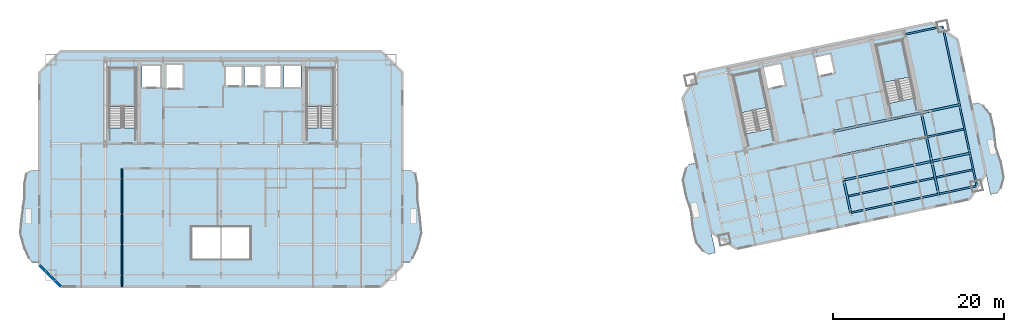
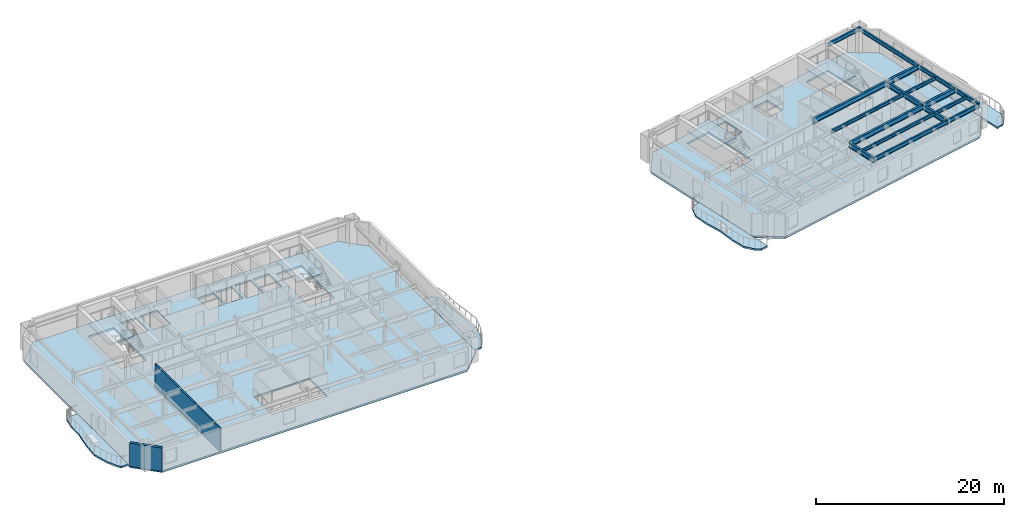
# One storey, part 4 of 13: 17 beams, 10 slabs, 2 walls, 4 elements without a shape of their own.
"""IFC4 building model written with IfcOpenShell, lengths in metres."""

from ifc_helpers import new_model, si_unit, direction, frame, frame_2d, origin, origin_2d, place, context, subcontext, project, spatial, polyline, rectangle, i_section, outline, extrude, material, layer, layer_set, material_profile, profile_set, type_object, element, aggregate, save


model = new_model("IFC4")

# Units and contexts
model_context = context("Model", 3, precision=1e-05, world=origin(), true_north=direction((0.0, 1.0)))
body_context = subcontext(model_context, "Body", "Model", "MODEL_VIEW")
ifc_project = project(units=[si_unit("LENGTHUNIT", "METRE"), si_unit("AREAUNIT", "SQUARE_METRE"), si_unit("VOLUMEUNIT", "CUBIC_METRE"), si_unit("PLANEANGLEUNIT", "RADIAN"), si_unit("MASSUNIT", "GRAM", prefix="KILO")], contexts=[model_context])

# Site, building, storey
site_placement = place(None, origin())
site = spatial("IfcSite", under=ifc_project, at=site_placement, CompositionType="ELEMENT")
building_placement = place(site_placement, origin())
building = spatial("IfcBuilding", under=site, at=building_placement, Name="Haevon Station Towers", CompositionType="ELEMENT")
storey_placement = place(building_placement, frame((0.0, 0.0, 149.39990234375)))
storey = spatial("IfcBuildingStorey", under=building, at=storey_placement, Name="L40", CompositionType="ELEMENT", Elevation=149.39990234375)

# Beams
ifc_material_1 = material(Name="Steel S355", Category="steel")
ifc_material_profile_1 = material_profile(ifc_material_1, i_section(OverallWidth=0.25, OverallDepth=0.64990234375, WebThickness=0.012939453125, FlangeThickness=0.02197265625, at=origin_2d()), Name="H-650x250x13x22")
ifc_profile_set_1 = profile_set([ifc_material_profile_1], Name="Steel S355")
beam_type_1 = type_object("IfcBeamType", Name="BM-G650", PredefinedType="BEAM", material=ifc_profile_set_1)
beam_1_placement = place(storey_placement, frame((110.228759765625, 33.9521484375, 2.72509765625), z_axis=(0.978146794194, 0.207915485254, 0.0), x_axis=(-0.207915485254, 0.978146794194, 0.0)))
element("IfcBeam", 1, at=beam_1_placement, inside=storey, type_object=beam_type_1, Name="BM-T2U-L40-02-03", PredefinedType="BEAM", context=body_context, shape_type="SweptSolid", body=[
    extrude(i_section(OverallWidth=0.25, OverallDepth=0.64990234375, WebThickness=0.012939453125, FlangeThickness=0.02197265625, at=origin_2d()), origin(), (0.0, 0.0, 1.0), 10.5),
])
beam_2_placement = place(storey_placement, frame((120.499267578125, 36.13525390625, 2.72509765625), z_axis=(0.978146576304, 0.207916510322, 0.0), x_axis=(-0.207916510322, 0.978146576304, 0.0)))
element("IfcBeam", 2, at=beam_2_placement, inside=storey, type_object=beam_type_1, Name="BM-T2U-L40-02-04", PredefinedType="BEAM", context=body_context, shape_type="SweptSolid", body=[
    extrude(i_section(OverallWidth=0.25, OverallDepth=0.64990234375, WebThickness=0.012939453125, FlangeThickness=0.02197265625, at=origin_2d()), origin(), (0.0, 0.0, 1.0), 4.550048828125),
])
beam_3_placement = place(storey_placement, frame((109.02294921875, 39.62548828125, 2.72509765625), z_axis=(0.978146794194, 0.207915485254, 0.0), x_axis=(-0.207915485254, 0.978146794194, 0.0)))
element("IfcBeam", 3, at=beam_3_placement, inside=storey, type_object=beam_type_1, Name="BM-T2U-L40-03-03", PredefinedType="BEAM", context=body_context, shape_type="SweptSolid", body=[
    extrude(i_section(OverallWidth=0.25, OverallDepth=0.64990234375, WebThickness=0.012939453125, FlangeThickness=0.02197265625, at=origin_2d()), origin(), (0.0, 0.0, 1.0), 10.5),
])
beam_4_placement = place(storey_placement, frame((119.29345703125, 41.80859375, 2.72509765625), z_axis=(0.978146576304, 0.207916510322, 0.0), x_axis=(-0.207916510322, 0.978146576304, 0.0)))
element("IfcBeam", 4, at=beam_4_placement, inside=storey, type_object=beam_type_1, Name="BM-T2U-L40-03-04", PredefinedType="BEAM", context=body_context, shape_type="SweptSolid", body=[
    extrude(i_section(OverallWidth=0.25, OverallDepth=0.64990234375, WebThickness=0.012939453125, FlangeThickness=0.02197265625, at=origin_2d()), origin(), (0.0, 0.0, 1.0), 4.550048828125),
])
for number, where, z_axis, x_axis, name in (
    (5, (111.03955078125, 30.137451171875, 2.72509765625), (-0.207899934746, 0.97815009949, 0.0), (-0.97815009949, -0.207899934746, 0.0), "BM-T2V-L40-03-01"),
    (6, (121.310302734375, 32.320556640625, 2.72509765625), (-0.207959829392, 0.978137367326, 0.0), (-0.978137367326, -0.207959829392, 0.0), "BM-T2V-L40-04-01"),
):
    element("IfcBeam", number, at=place(storey_placement, frame(where, z_axis=z_axis, x_axis=x_axis)), inside=storey, type_object=beam_type_1, Name=name, PredefinedType="BEAM", context=body_context, shape_type="SweptSolid", body=[
        extrude(i_section(OverallWidth=0.25, OverallDepth=0.64990234375, WebThickness=0.012939453125, FlangeThickness=0.02197265625, at=origin_2d()), origin(), (0.0, 0.0, 1.0), 3.89990234375),
    ])
beam_5_placement = place(storey_placement, frame((120.499267578125, 36.13525390625, 2.72509765625), z_axis=(-0.207896009217, 0.97815093383, 0.0), x_axis=(-0.97815093383, -0.207896009217, 0.0)))
element("IfcBeam", 7, at=beam_5_placement, inside=storey, type_object=beam_type_1, Name="BM-T2V-L40-04-02", PredefinedType="BEAM", context=body_context, shape_type="SweptSolid", body=[
    extrude(i_section(OverallWidth=0.25, OverallDepth=0.64990234375, WebThickness=0.012939453125, FlangeThickness=0.02197265625, at=origin_2d()), origin(), (0.0, 0.0, 1.0), 5.800048828125),
])
ifc_material_profile_2 = material_profile(ifc_material_1, i_section(OverallWidth=0.199951171875, OverallDepth=0.39990234375, WebThickness=0.008056640625, FlangeThickness=0.012939453125, at=origin_2d()), Name="H-400x200x8x13")
ifc_profile_set_2 = profile_set([ifc_material_profile_2], Name="Steel S355")
beam_type_2 = type_object("IfcBeamType", Name="BM-J400", PredefinedType="JOIST", material=ifc_profile_set_2)
beam_6_placement = place(storey_placement, frame((110.74169921875, 32.067626953125, 2.85009765625), z_axis=(0.978145509903, 0.207921527161, 0.0), x_axis=(-0.207921527161, 0.978145509903, 0.0)))
element("IfcBeam", 8, at=beam_6_placement, inside=storey, type_object=beam_type_2, Name="BM-T2J-L40-01-03", PredefinedType="JOIST", context=body_context, shape_type="SweptSolid", body=[
    extrude(i_section(OverallWidth=0.199951171875, OverallDepth=0.39990234375, WebThickness=0.008056640625, FlangeThickness=0.012939453125, at=origin_2d()), origin(), (0.0, 0.0, 1.0), 10.280029296875),
])
beam_7_placement = place(storey_placement, frame((121.012451171875, 34.250732421875, 2.85009765625), z_axis=(0.978141078405, 0.207942373597, 0.0), x_axis=(-0.207942373597, 0.978141078405, 0.0)))
element("IfcBeam", 9, at=beam_7_placement, inside=storey, type_object=beam_type_2, Name="BM-T2J-L40-01-04", PredefinedType="JOIST", context=body_context, shape_type="SweptSolid", body=[
    extrude(i_section(OverallWidth=0.199951171875, OverallDepth=0.39990234375, WebThickness=0.008056640625, FlangeThickness=0.012939453125, at=origin_2d()), origin(), (0.0, 0.0, 1.0), 4.330078125),
])
beam_8_placement = place(storey_placement, frame((109.7333984375, 36.811767578125, 2.85009765625), z_axis=(0.978150339653, 0.207898804801, 0.0), x_axis=(-0.207898804801, 0.978150339653, 0.0)))
element("IfcBeam", 10, at=beam_8_placement, inside=storey, type_object=beam_type_2, Name="BM-T2J-L40-02-03", PredefinedType="JOIST", context=body_context, shape_type="SweptSolid", body=[
    extrude(i_section(OverallWidth=0.199951171875, OverallDepth=0.39990234375, WebThickness=0.008056640625, FlangeThickness=0.012939453125, at=origin_2d()), origin(), (0.0, 0.0, 1.0), 10.280029296875),
])
beam_9_placement = place(storey_placement, frame((120.00390625, 38.994873046875, 2.85009765625), z_axis=(0.978152545287, 0.207888427166, 0.0), x_axis=(-0.207888427166, 0.978152545287, 0.0)))
element("IfcBeam", 11, at=beam_9_placement, inside=storey, type_object=beam_type_2, Name="BM-T2J-L40-02-04", PredefinedType="JOIST", context=body_context, shape_type="SweptSolid", body=[
    extrude(i_section(OverallWidth=0.199951171875, OverallDepth=0.39990234375, WebThickness=0.008056640625, FlangeThickness=0.012939453125, at=origin_2d()), origin(), (0.0, 0.0, 1.0), 4.329833984375),
])
ifc_material_profile_3 = material_profile(ifc_material_1, i_section(OverallWidth=0.199951171875, OverallDepth=0.5, WebThickness=0.010009765625, FlangeThickness=0.01611328125, at=origin_2d()), Name="H-500x200x10x16")
ifc_profile_set_3 = profile_set([ifc_material_profile_3], Name="Steel S355")
beam_type_3 = type_object("IfcBeamType", Name="BM-SP500", PredefinedType="SPANDREL", material=ifc_profile_set_3)
beam_10_placement = place(storey_placement, frame((111.03955078125, 30.137451171875, 2.800048828125), z_axis=(0.978147799298, 0.207910756646, 0.0), x_axis=(-0.207910756646, 0.978147799298, 0.0)))
element("IfcBeam", 12, at=beam_10_placement, inside=storey, type_object=beam_type_3, Name="BM-T2U-L40-01-03", PredefinedType="SPANDREL", context=body_context, shape_type="SweptSolid", body=[
    extrude(i_section(OverallWidth=0.199951171875, OverallDepth=0.5, WebThickness=0.010009765625, FlangeThickness=0.01611328125, at=origin_2d()), origin(), (0.0, 0.0, 1.0), 10.500244140625),
])
beam_11_placement = place(storey_placement, frame((121.310302734375, 32.320556640625, 2.800048828125), z_axis=(0.978144256617, 0.207927423029, 0.0), x_axis=(-0.207927423029, 0.978144256617, 0.0)))
element("IfcBeam", 13, at=beam_11_placement, inside=storey, type_object=beam_type_3, Name="BM-T2U-L40-01-04", PredefinedType="SPANDREL", context=body_context, shape_type="SweptSolid", body=[
    extrude(i_section(OverallWidth=0.199951171875, OverallDepth=0.5, WebThickness=0.010009765625, FlangeThickness=0.01611328125, at=origin_2d()), origin(), (0.0, 0.0, 1.0), 4.5498046875),
])
beam_12_placement = place(storey_placement, frame((117.349365234375, 50.954345703125, 2.800048828125), z_axis=(0.978157487225, 0.207865173094, 0.0), x_axis=(-0.207865173094, 0.978157487225, 0.0)))
element("IfcBeam", 14, at=beam_12_placement, inside=storey, type_object=beam_type_3, Name="BM-T2U-L40-04-04", PredefinedType="SPANDREL", context=body_context, shape_type="SweptSolid", body=[
    extrude(i_section(OverallWidth=0.199951171875, OverallDepth=0.5, WebThickness=0.010009765625, FlangeThickness=0.01611328125, at=origin_2d()), origin(), (0.0, 0.0, 1.0), 4.550048828125),
])
beam_13_placement = place(storey_placement, frame((125.7607421875, 33.2666015625, 2.800048828125), z_axis=(-0.207899934746, 0.97815009949, 0.0), x_axis=(-0.97815009949, -0.207899934746, 0.0)))
element("IfcBeam", 15, at=beam_13_placement, inside=storey, type_object=beam_type_3, Name="BM-T2V-L40-05-01", PredefinedType="SPANDREL", context=body_context, shape_type="SweptSolid", body=[
    extrude(i_section(OverallWidth=0.199951171875, OverallDepth=0.5, WebThickness=0.010009765625, FlangeThickness=0.01611328125, at=origin_2d()), origin(), (0.0, 0.0, 1.0), 3.89990234375),
])
beam_14_placement = place(storey_placement, frame((124.949951171875, 37.081298828125, 2.800048828125), z_axis=(-0.207896009217, 0.97815093383, 0.0), x_axis=(-0.97815093383, -0.207896009217, 0.0)))
element("IfcBeam", 16, at=beam_14_placement, inside=storey, type_object=beam_type_3, Name="BM-T2V-L40-05-02", PredefinedType="SPANDREL", context=body_context, shape_type="SweptSolid", body=[
    extrude(i_section(OverallWidth=0.199951171875, OverallDepth=0.5, WebThickness=0.010009765625, FlangeThickness=0.01611328125, at=origin_2d()), origin(), (0.0, 0.0, 1.0), 5.800048828125),
])
beam_15_placement = place(storey_placement, frame((123.744140625, 42.754638671875, 2.800048828125), z_axis=(-0.207927460032, 0.978144248751, 0.0), x_axis=(-0.978144248751, -0.207927460032, 0.0)))
element("IfcBeam", 17, at=beam_15_placement, inside=storey, type_object=beam_type_3, Name="BM-T2V-L40-05-03", PredefinedType="SPANDREL", context=body_context, shape_type="SweptSolid", body=[
    extrude(i_section(OverallWidth=0.199951171875, OverallDepth=0.5, WebThickness=0.010009765625, FlangeThickness=0.01611328125, at=origin_2d()), origin(), (0.0, 0.0, 1.0), 9.349853515625),
])

# Slabs
ifc_material_2 = material(Name="Concrete C40/50", Category="concrete")
ifc_layer_1 = layer(ifc_material_2, 0.219970703125)
ifc_layer_set_1 = layer_set([ifc_layer_1], Name="Concrete C40/50")
slab_type_1 = type_object("IfcSlabType", Name="SL-BALC220", PredefinedType="FLOOR", material=ifc_layer_set_1)
slab_1_placement = place(storey_placement, frame((0.0, 0.0, -0.219970703125)))
element("IfcSlab", 18, at=slab_1_placement, inside=storey, type_object=slab_type_1, Name="Tower 1 L40 West SCALLOPED BALCONY", PredefinedType="FLOOR", context=body_context, shape_type="SweptSolid", body=[
    extrude(outline(polyline([(16.294921875, 35.14990234375), (15.4130859375, 35.14990234375), (14.783935546875, 34.739013671875), (14.5517578125, 33.568359375), (14.5302734375, 31.81640625), (14.195068359375, 29.75), (14.045166015625, 27.68359375), (14.5517578125, 25.931640625), (15.10986328125, 24.760986328125), (15.4130859375, 24.35009765625), (16.294921875, 24.35009765625), (16.294921875, 35.14990234375)])), origin(), (0.0, 0.0, 1.0), 0.219970703125),
])
slab_2_placement = place(storey_placement, frame((0.0, 0.0, -0.219970703125)))
element("IfcSlab", 19, at=slab_2_placement, inside=storey, type_object=slab_type_1, Name="Tower 1 L40 East SCALLOPED BALCONY", PredefinedType="FLOOR", context=body_context, shape_type="SweptSolid", body=[
    extrude(outline(polyline([(58.705078125, 24.35009765625), (59.5869140625, 24.35009765625), (59.89013671875, 24.760986328125), (60.4482421875, 25.931640625), (60.954833984375, 27.68359375), (60.804931640625, 29.75), (60.4697265625, 31.81640625), (60.4482421875, 33.568359375), (60.216064453125, 34.739013671875), (59.5869140625, 35.14990234375), (58.705078125, 35.14990234375), (58.705078125, 24.35009765625)])), origin(), (0.0, 0.0, 1.0), 0.219970703125),
])
slab_3_placement = place(storey_placement, frame((0.0, 0.0, -0.219970703125)))
element("IfcSlab", 20, at=slab_3_placement, inside=storey, type_object=slab_type_1, Name="Tower 2 L40 West SCALLOPED BALCONY", PredefinedType="FLOOR", context=body_context, shape_type="SweptSolid", body=[
    extrude(outline(polyline([(93.023193359375, 35.99462890625), (92.191650390625, 35.81787109375), (91.7900390625, 35.312255859375), (91.44091796875, 34.041259765625), (91.7529296875, 32.316650390625), (92.340087890625, 30.328857421875), (92.612060546875, 28.27392578125), (93.028564453125, 26.571533203125), (93.864501953125, 25.552490234375), (94.437255859375, 25.25390625), (95.2685546875, 25.4306640625), (93.023193359375, 35.99462890625)])), origin(), (0.0, 0.0, 1.0), 0.219970703125),
])
slab_4_placement = place(storey_placement, frame((0.0, 0.0, -0.219970703125)))
element("IfcSlab", 21, at=slab_4_placement, inside=storey, type_object=slab_type_1, Name="Tower 2 L40 East SCALLOPED BALCONY", PredefinedType="FLOOR", context=body_context, shape_type="SweptSolid", body=[
    extrude(outline(polyline([(127.361572265625, 32.252197265625), (128.193115234375, 32.428955078125), (128.5947265625, 32.9345703125), (128.944091796875, 34.20556640625), (128.632080078125, 35.93017578125), (128.044921875, 37.91796875), (127.772705078125, 39.972900390625), (127.356201171875, 41.67529296875), (126.520263671875, 42.6943359375), (125.947509765625, 42.992919921875), (125.1162109375, 42.816162109375), (127.361572265625, 32.252197265625)])), origin(), (0.0, 0.0, 1.0), 0.219970703125),
])

# Stair, slab
stair_type = type_object("IfcStairType", Name="STR-DL1450", PredefinedType="USERDEFINED", material=ifc_material_2)
stair_1_placement = place(storey_placement, origin())
stair_1 = element("IfcStair", 22, at=stair_1_placement, inside=storey, type_object=stair_type, Name="L40 Escape Stair ST1", ObjectType="TWO_RETURN_STAIR", PredefinedType="USERDEFINED")
ifc_layer_2 = layer(ifc_material_2, 0.199951171875)
ifc_layer_set_2 = layer_set([ifc_layer_2], Name="Concrete C40/50")
slab_type_2 = type_object("IfcSlabType", Name="SL-LND200", PredefinedType="LANDING", material=ifc_layer_set_2)
slab_5_placement = place(storey_placement, frame((0.0, 0.0, 1.4501953125)))
slab_5 = element("IfcSlab", 23, at=slab_5_placement, type_object=slab_type_2, Name="L40 ST1 Half Landing 1", PredefinedType="LANDING", context=body_context, shape_type="SweptSolid", body=[
    extrude(outline(polyline([(27.580078125, 42.56396484375), (27.580078125, 47.0), (24.47998046875, 47.0), (24.47998046875, 42.56396484375), (27.580078125, 42.56396484375)])), origin(), (0.0, 0.0, 1.0), 0.199951171875),
])
aggregate(stair_1, [slab_5])

stair_2_placement = place(storey_placement, origin())
stair_2 = element("IfcStair", 24, at=stair_2_placement, inside=storey, type_object=stair_type, Name="L40 Escape Stair ST2", ObjectType="TWO_RETURN_STAIR", PredefinedType="USERDEFINED")
slab_6_placement = place(storey_placement, frame((0.0, 0.0, 1.4501953125)))
slab_6 = element("IfcSlab", 25, at=slab_6_placement, type_object=slab_type_2, Name="L40 ST2 Half Landing 1", PredefinedType="LANDING", context=body_context, shape_type="SweptSolid", body=[
    extrude(outline(polyline([(50.6201171875, 42.56396484375), (50.6201171875, 47.0), (47.52001953125, 47.0), (47.52001953125, 42.56396484375), (50.6201171875, 42.56396484375)])), origin(), (0.0, 0.0, 1.0), 0.199951171875),
])
aggregate(stair_2, [slab_6])

stair_3_placement = place(storey_placement, origin())
stair_3 = element("IfcStair", 26, at=stair_3_placement, inside=storey, type_object=stair_type, Name="L40 Escape Stair ST3", ObjectType="TWO_RETURN_STAIR", PredefinedType="USERDEFINED")
slab_7_placement = place(storey_placement, frame((0.0, 0.0, 1.4501953125)))
slab_7 = element("IfcSlab", 27, at=slab_7_placement, type_object=slab_type_2, Name="L40 ST3 Half Landing 1", PredefinedType="LANDING", context=body_context, shape_type="SweptSolid", body=[
    extrude(outline(polyline([(101.2880859375, 42.44287109375), (100.36572265625, 46.781982421875), (97.33349609375, 46.137451171875), (98.255859375, 41.79833984375), (101.2880859375, 42.44287109375)])), origin(), (0.0, 0.0, 1.0), 0.199951171875),
])
aggregate(stair_3, [slab_7])

stair_4_placement = place(storey_placement, origin())
stair_4 = element("IfcStair", 28, at=stair_4_placement, inside=storey, type_object=stair_type, Name="L40 Escape Stair ST4", ObjectType="TWO_RETURN_STAIR", PredefinedType="USERDEFINED")
slab_8_placement = place(storey_placement, frame((0.0, 0.0, 1.4501953125)))
slab_8 = element("IfcSlab", 29, at=slab_8_placement, type_object=slab_type_2, Name="L40 ST4 Half Landing 1", PredefinedType="LANDING", context=body_context, shape_type="SweptSolid", body=[
    extrude(outline(polyline([(117.975341796875, 45.989990234375), (117.052978515625, 50.328857421875), (114.020751953125, 49.684326171875), (114.943115234375, 45.345458984375), (117.975341796875, 45.989990234375)])), origin(), (0.0, 0.0, 1.0), 0.199951171875),
])
aggregate(stair_4, [slab_8])

# Slabs
ifc_layer_3 = layer(ifc_material_2, 0.25)
ifc_layer_set_3 = layer_set([ifc_layer_3], Name="Concrete C40/50")
slab_type_3 = type_object("IfcSlabType", Name="SL-TW250", PredefinedType="FLOOR", material=ifc_layer_set_3)
slab_9_placement = place(storey_placement, frame((0.0, 0.0, -0.25)))
element("IfcSlab", 30, at=slab_9_placement, inside=storey, type_object=slab_type_3, Name="SL-T1-L40", PredefinedType="FLOOR", context=body_context, shape_type="SweptSolid", body=[
    extrude(outline(polyline([(18.800048828125, 21.5), (56.199951171875, 21.5), (58.699951171875, 24.0), (58.699951171875, 46.5), (56.199951171875, 49.0), (18.800048828125, 49.0), (16.300048828125, 46.5), (16.300048828125, 24.0), (18.800048828125, 21.5)]), holes=[polyline([(27.580078125, 40.055908203125), (27.580078125, 47.0), (24.47998046875, 47.0), (24.47998046875, 40.055908203125), (27.580078125, 40.055908203125)]), polyline([(50.6201171875, 40.055908203125), (50.6201171875, 47.0), (47.52001953125, 47.0), (47.52001953125, 40.055908203125), (50.6201171875, 40.055908203125)]), polyline([(28.300048828125, 44.699951171875), (30.5, 44.699951171875), (30.5, 47.39990234375), (28.300048828125, 47.39990234375), (28.300048828125, 44.699951171875)]), polyline([(31.050048828125, 44.60009765625), (33.14990234375, 44.60009765625), (33.14990234375, 47.5), (31.050048828125, 47.5), (31.050048828125, 44.60009765625)]), polyline([(38.0, 44.89990234375), (40.0, 44.89990234375), (40.0, 47.300048828125), (38.0, 47.300048828125), (38.0, 44.89990234375)]), polyline([(40.25, 44.89990234375), (42.25, 44.89990234375), (42.25, 47.300048828125), (40.25, 47.300048828125), (40.25, 44.89990234375)]), polyline([(42.60009765625, 44.699951171875), (44.60009765625, 44.699951171875), (44.60009765625, 47.39990234375), (42.60009765625, 47.39990234375), (42.60009765625, 44.699951171875)]), polyline([(44.85009765625, 44.699951171875), (46.85009765625, 44.699951171875), (46.85009765625, 47.39990234375), (44.85009765625, 47.39990234375), (44.85009765625, 44.699951171875)]), polyline([(34.10009765625, 24.699951171875), (40.89990234375, 24.699951171875), (40.89990234375, 28.5), (34.10009765625, 28.5), (34.10009765625, 24.699951171875)])]), origin(), (0.0, 0.0, 1.0), 0.25),
])
slab_10_placement = place(storey_placement, frame((0.0, 0.0, -0.25)))
element("IfcSlab", 31, at=slab_10_placement, inside=storey, type_object=slab_type_3, Name="SL-T2-L40", PredefinedType="FLOOR", context=body_context, shape_type="SweptSolid", body=[
    extrude(outline(polyline([(97.72412109375, 25.927001953125), (124.91650390625, 31.70703125), (126.84228515625, 34.672119140625), (123.505126953125, 50.371337890625), (120.5400390625, 52.296875), (93.347412109375, 46.51708984375), (91.421875, 43.5517578125), (94.759033203125, 27.8525390625), (97.72412109375, 25.927001953125)]), holes=[polyline([(101.8095703125, 39.98974609375), (100.36572265625, 46.781982421875), (97.33349609375, 46.137451171875), (98.77734375, 39.34521484375), (101.8095703125, 39.98974609375)]), polyline([(118.496826171875, 43.53662109375), (117.052978515625, 50.328857421875), (114.020751953125, 49.684326171875), (115.464599609375, 42.89208984375), (118.496826171875, 43.53662109375)]), polyline([(101.43212890625, 44.554931640625), (103.486328125, 44.99169921875), (102.9248046875, 47.632568359375), (100.870849609375, 47.196044921875), (101.43212890625, 44.554931640625)]), polyline([(107.259521484375, 45.998046875), (109.2158203125, 46.413818359375), (108.716796875, 48.761474609375), (106.760498046875, 48.345703125), (107.259521484375, 45.998046875)])]), origin(), (0.0, 0.0, 1.0), 0.25),
])

# Walls
ifc_material_3 = material(Name="Precast concrete C45/55", Category="concrete")
ifc_layer_4 = layer(ifc_material_3, 0.300048828125)
ifc_layer_set_4 = layer_set([ifc_layer_4], Name="Precast concrete C45/55")
wall_type_1 = type_object("IfcWallType", Name="WL-EXT-PIER300", PredefinedType="SOLIDWALL", material=ifc_layer_set_4)
wall_1_placement = place(storey_placement, frame((18.800048828125, 21.5, 0.0), z_axis=(0.0, 0.0, 1.0), x_axis=(-0.707106781187, 0.707106781187, 0.0)))
element("IfcWall", 32, at=wall_1_placement, inside=storey, type_object=wall_type_1, Name="WL-T1-L40-SWC", PredefinedType="SOLIDWALL", context=body_context, shape_type="SweptSolid", body=[
    extrude(rectangle(XDim=3.53564453125, YDim=0.300048828125, at=frame_2d((1.767822265625, 0.0))), origin(), (0.0, 0.0, 1.0), 3.030029296875),
])
ifc_material_4 = material(Name="Gypsum board on steel stud", Category="steel")
ifc_layer_5 = layer(ifc_material_4, 0.159912109375)
ifc_layer_set_5 = layer_set([ifc_layer_5], Name="Gypsum board on steel stud")
wall_type_2 = type_object("IfcWallType", Name="WL-PRT160", PredefinedType="PARTITIONING", material=ifc_layer_set_5)
wall_2_placement = place(storey_placement, frame((25.949951171875, 21.5, 0.0), z_axis=(0.0, 0.0, 1.0), x_axis=(0.0, 1.0, 0.0)))
element("IfcWall", 33, at=wall_2_placement, inside=storey, type_object=wall_type_2, Name="WL-T1PT-L40-01", PredefinedType="PARTITIONING", context=body_context, shape_type="SweptSolid", body=[
    extrude(rectangle(XDim=13.780029296875, YDim=0.159912109375, at=frame_2d((6.89013671875, 0.0))), origin(), (0.0, 0.0, 1.0), 3.030029296875),
])

save(model, "model.ifc")
